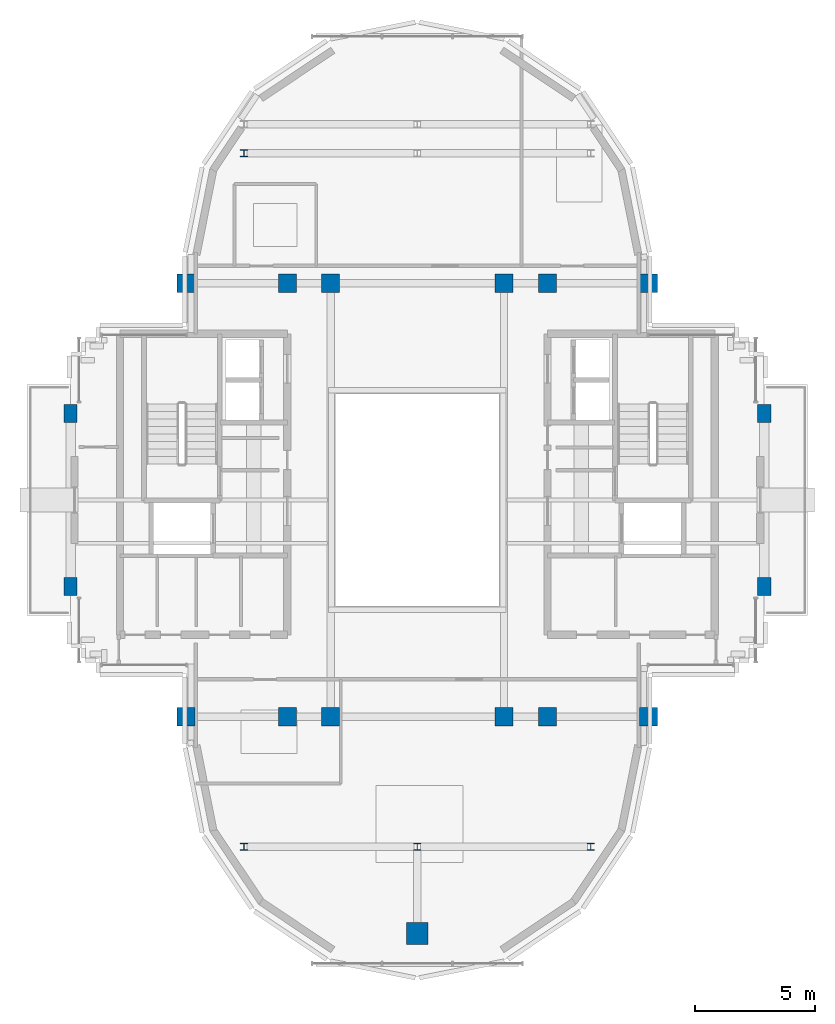
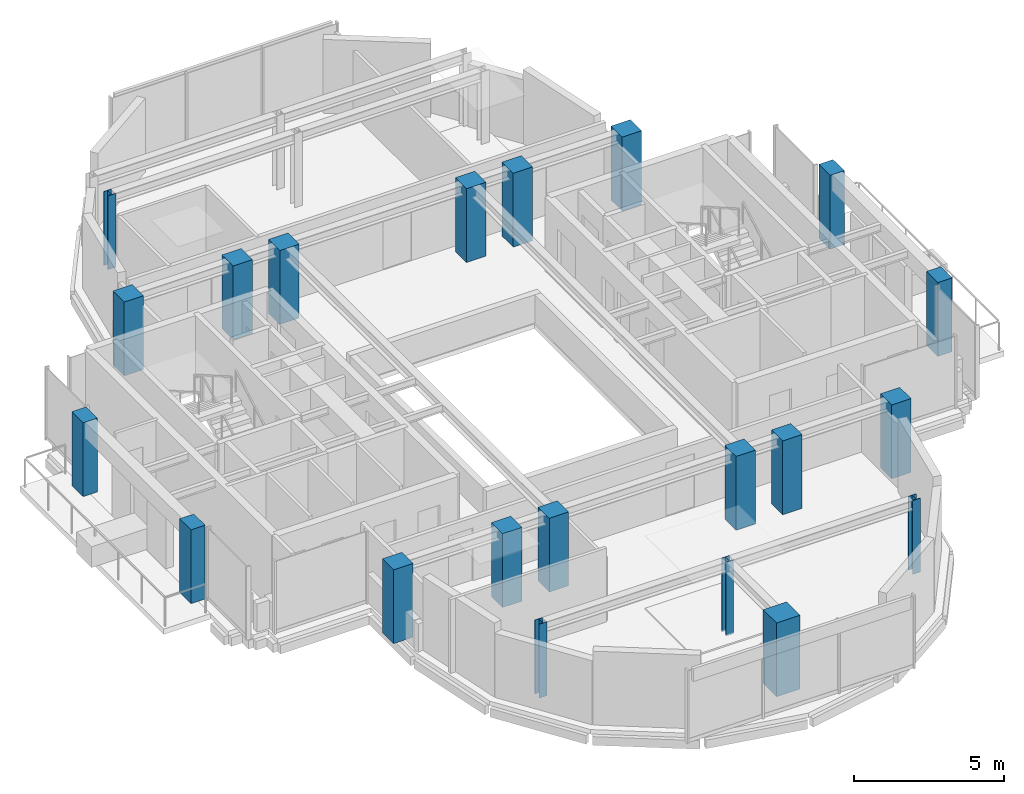
# One storey, part 1 of 12: 21 columns.
"""IFC4 building model written with IfcOpenShell, lengths in metres."""

from ifc_helpers import new_model, si_unit, direction, frame, origin, origin_2d, place, context, subcontext, project, spatial, rectangle, i_section, extrude, source, transform, mapped, material, material_profile, profile_set, type_object, element, save


model = new_model("IFC4")

# Units and contexts
model_context = context("Model", 3, precision=1e-05, world=origin(), true_north=direction((0.0, 1.0)))
body_context = subcontext(model_context, "Body", "Model", "MODEL_VIEW")
ifc_project = project(units=[si_unit("LENGTHUNIT", "METRE"), si_unit("AREAUNIT", "SQUARE_METRE"), si_unit("VOLUMEUNIT", "CUBIC_METRE"), si_unit("PLANEANGLEUNIT", "RADIAN"), si_unit("MASSUNIT", "GRAM", prefix="KILO")], contexts=[model_context])

# Site, building, storey
site_placement = place(None, origin())
site = spatial("IfcSite", under=ifc_project, at=site_placement, CompositionType="ELEMENT")
building_placement = place(site_placement, origin())
building = spatial("IfcBuilding", under=site, at=building_placement, Name="Keilestroom Media Tower", CompositionType="ELEMENT")
storey_placement = place(building_placement, frame((0.0, 0.0, 258.800048828125)))
storey = spatial("IfcBuildingStorey", under=building, at=storey_placement, Name="L72", CompositionType="ELEMENT", Elevation=258.800048828125)

# Columns
ifc_material_1 = material(Name="Precast concrete C40/50", Category="concrete")
ifc_material_profile_1 = material_profile(ifc_material_1, rectangle(XDim=0.550048828125, YDim=0.75, at=origin_2d()), Name="PC 750x550")
ifc_profile_set_1 = profile_set([ifc_material_profile_1], Name="Precast concrete C40/50")
column_type_1 = type_object("IfcColumnType", Name="Structural-Column-PC-750x550", PredefinedType="COLUMN", material=ifc_profile_set_1)
shared_shape_1 = source(origin(), body_context, "Body", "SweptSolid", [
    extrude(rectangle(XDim=0.550048828125, YDim=0.75, at=origin_2d()), origin(), (0.0, 0.0, 1.0), 3.010009765625),
])
for number, where, z_axis, x_axis, name in (
    (1, (-14.39990234375, -3.60009765625, 0.0), (0.0, 0.0, 1.0), (1.0, 0.0, 0.0), "L72 Column PC-3 (-14.4,-3.6)"),
    (2, (-14.39990234375, 3.60009765625, 0.0), (0.0, 0.0, 1.0), (1.0, 0.0, 0.0), "L72 Column PC-3 (-14.4,+3.6)"),
    (3, (14.39990234375, -3.60009765625, 0.0), (0.0, 0.0, 1.0), (1.0, 0.0, 0.0), "L72 Column PC-3 (+14.4,-3.6)"),
    (4, (14.39990234375, 3.60009765625, 0.0), (0.0, 0.0, 1.0), (1.0, 0.0, 0.0), "L72 Column PC-3 (+14.4,+3.6)"),
):
    element("IfcColumn", number, at=place(storey_placement, frame(where, z_axis=z_axis, x_axis=x_axis)), inside=storey, type_object=column_type_1, Name=name, PredefinedType="COLUMN", context=body_context, shape_type="MappedRepresentation", body=[
        mapped(shared_shape_1, transform((0.0, 0.0, 0.0), x_axis=(1.0, 0.0, 0.0), y_axis=(0.0, 1.0, 0.0), z_axis=(0.0, 0.0, 1.0), scale=1.0)),
    ])
ifc_material_2 = material(Name="Concrete C55/67", Category="concrete")
ifc_material_profile_2 = material_profile(ifc_material_2, rectangle(XDim=0.89990234375, YDim=0.89990234375, at=origin_2d()), Name="RC 900x900")
ifc_profile_set_2 = profile_set([ifc_material_profile_2], Name="Concrete C55/67")
column_type_2 = type_object("IfcColumnType", Name="Structural-Column-RC-900x900", PredefinedType="COLUMN", material=ifc_profile_set_2)
shared_shape_2 = source(origin(), body_context, "Body", "SweptSolid", [
    extrude(rectangle(XDim=0.89990234375, YDim=0.89990234375, at=origin_2d()), origin(), (0.0, 0.0, 1.0), 3.010009765625),
])
column_placement = place(storey_placement, frame((0.0, -18.0, 0.0), z_axis=(0.0, 0.0, 1.0), x_axis=(1.0, 0.0, 0.0)))
element("IfcColumn", 5, at=column_placement, inside=storey, type_object=column_type_2, Name="L72 Column MC-4 (+0.0,-18.0)", PredefinedType="COLUMN", context=body_context, shape_type="MappedRepresentation", body=[
    mapped(shared_shape_2, transform((0.0, 0.0, 0.0), x_axis=(1.0, 0.0, 0.0), y_axis=(0.0, 1.0, 0.0), z_axis=(0.0, 0.0, 1.0), scale=1.0)),
])
ifc_material_3 = material(Name="Concrete C50/60", Category="concrete")
ifc_material_profile_3 = material_profile(ifc_material_3, rectangle(XDim=0.75, YDim=0.75, at=origin_2d()), Name="RC 750x750")
ifc_profile_set_3 = profile_set([ifc_material_profile_3], Name="Concrete C50/60")
column_type_3 = type_object("IfcColumnType", Name="Structural-Column-RC-750x750", PredefinedType="COLUMN", material=ifc_profile_set_3)
shared_shape_3 = source(origin(), body_context, "Body", "SweptSolid", [
    extrude(rectangle(XDim=0.75, YDim=0.75, at=origin_2d()), origin(), (0.0, 0.0, 1.0), 3.010009765625),
])
for number, where, z_axis, x_axis, name in (
    (6, (-9.60009765625, -9.0, 0.0), (0.0, 0.0, 1.0), (1.0, 0.0, 0.0), "L72 Column MC-5 (-9.6,-9.0)"),
    (7, (-9.60009765625, 9.0, 0.0), (0.0, 0.0, 1.0), (1.0, 0.0, 0.0), "L72 Column MC-5 (-9.6,+9.0)"),
    (8, (-5.39990234375, -9.0, 0.0), (0.0, 0.0, 1.0), (1.0, 0.0, 0.0), "L72 Column MC-5 (-5.4,-9.0)"),
    (9, (-5.39990234375, 9.0, 0.0), (0.0, 0.0, 1.0), (1.0, 0.0, 0.0), "L72 Column MC-5 (-5.4,+9.0)"),
    (10, (-3.60009765625, -9.0, 0.0), (0.0, 0.0, 1.0), (1.0, 0.0, 0.0), "L72 Column MC-5 (-3.6,-9.0)"),
    (11, (-3.60009765625, 9.0, 0.0), (0.0, 0.0, 1.0), (1.0, 0.0, 0.0), "L72 Column MC-5 (-3.6,+9.0)"),
    (12, (3.60009765625, -9.0, 0.0), (0.0, 0.0, 1.0), (1.0, 0.0, 0.0), "L72 Column MC-5 (+3.6,-9.0)"),
    (13, (3.60009765625, 9.0, 0.0), (0.0, 0.0, 1.0), (1.0, 0.0, 0.0), "L72 Column MC-5 (+3.6,+9.0)"),
    (14, (5.39990234375, -9.0, 0.0), (0.0, 0.0, 1.0), (1.0, 0.0, 0.0), "L72 Column MC-5 (+5.4,-9.0)"),
    (15, (5.39990234375, 9.0, 0.0), (0.0, 0.0, 1.0), (1.0, 0.0, 0.0), "L72 Column MC-5 (+5.4,+9.0)"),
    (16, (9.60009765625, -9.0, 0.0), (0.0, 0.0, 1.0), (1.0, 0.0, 0.0), "L72 Column MC-5 (+9.6,-9.0)"),
    (17, (9.60009765625, 9.0, 0.0), (0.0, 0.0, 1.0), (1.0, 0.0, 0.0), "L72 Column MC-5 (+9.6,+9.0)"),
):
    element("IfcColumn", number, at=place(storey_placement, frame(where, z_axis=z_axis, x_axis=x_axis)), inside=storey, type_object=column_type_3, Name=name, PredefinedType="COLUMN", context=body_context, shape_type="MappedRepresentation", body=[
        mapped(shared_shape_3, transform((0.0, 0.0, 0.0), x_axis=(1.0, 0.0, 0.0), y_axis=(0.0, 1.0, 0.0), z_axis=(0.0, 0.0, 1.0), scale=1.0)),
    ])
ifc_material_4 = material(Name="Steel S355", Category="steel")
ifc_material_profile_4 = material_profile(ifc_material_4, i_section(OverallWidth=0.300048828125, OverallDepth=0.300048828125, WebThickness=0.010986328125, FlangeThickness=0.01904296875, at=origin_2d()), Name="HEB 300")
ifc_profile_set_4 = profile_set([ifc_material_profile_4], Name="Steel S355")
column_type_4 = type_object("IfcColumnType", Name="Structural-Column-HEB-300", PredefinedType="COLUMN", material=ifc_profile_set_4)
shared_shape_4 = source(origin(), body_context, "Body", "SweptSolid", [
    extrude(i_section(OverallWidth=0.300048828125, OverallDepth=0.300048828125, WebThickness=0.010986328125, FlangeThickness=0.01904296875, at=origin_2d()), origin(), (0.0, 0.0, 1.0), 3.010009765625),
])
for number, where, z_axis, x_axis, name in (
    (18, (-7.199951171875, -14.39990234375, 0.0), (0.0, 0.0, 1.0), (1.0, 0.0, 0.0), "L72 Column SC-5 (-7.2,-14.4)"),
    (19, (-7.199951171875, 14.39990234375, 0.0), (0.0, 0.0, 1.0), (1.0, 0.0, 0.0), "L72 Column SC-5 (-7.2,+14.4)"),
    (20, (0.0, -14.39990234375, 0.0), (0.0, 0.0, 1.0), (1.0, 0.0, 0.0), "L72 Column SC-5 (+0.0,-14.4)"),
    (21, (7.199951171875, -14.39990234375, 0.0), (0.0, 0.0, 1.0), (1.0, 0.0, 0.0), "L72 Column SC-5 (+7.2,-14.4)"),
):
    element("IfcColumn", number, at=place(storey_placement, frame(where, z_axis=z_axis, x_axis=x_axis)), inside=storey, type_object=column_type_4, Name=name, PredefinedType="COLUMN", context=body_context, shape_type="MappedRepresentation", body=[
        mapped(shared_shape_4, transform((0.0, 0.0, 0.0), x_axis=(1.0, 0.0, 0.0), y_axis=(0.0, 1.0, 0.0), z_axis=(0.0, 0.0, 1.0), scale=1.0)),
    ])

save(model, "model.ifc")
